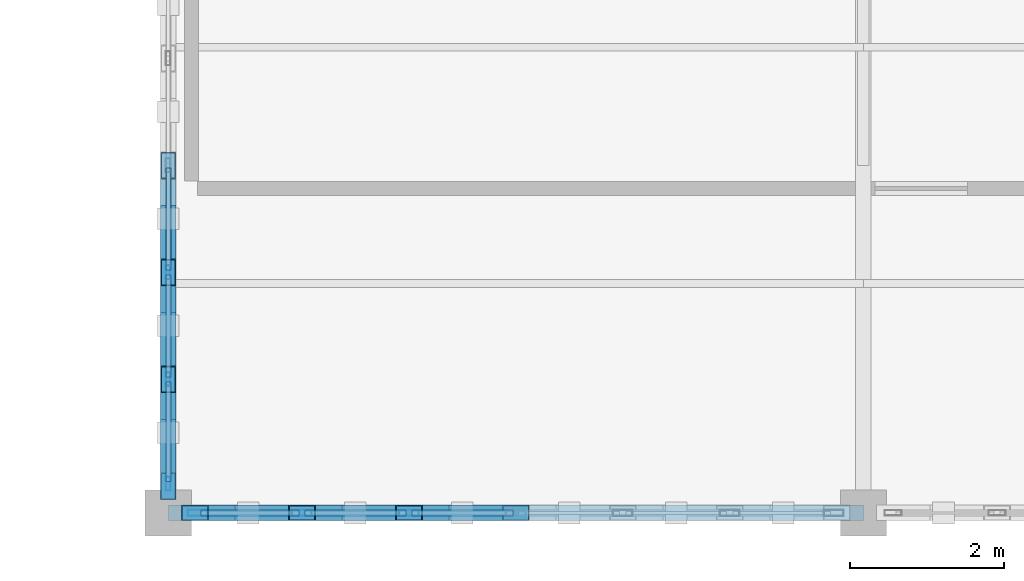
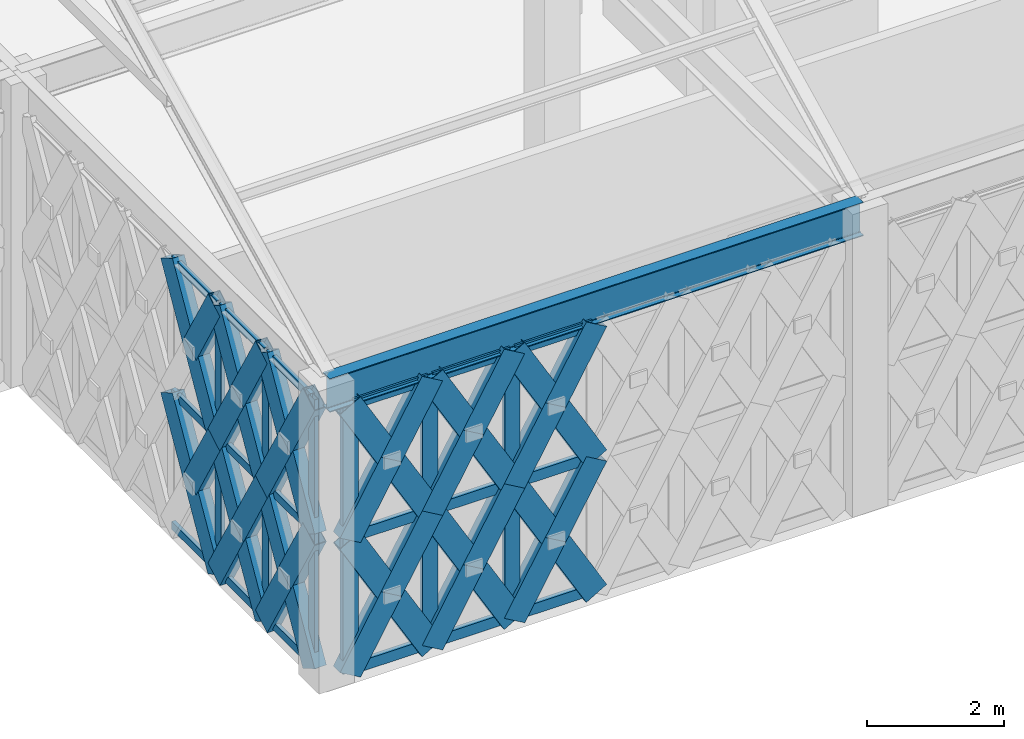
# One storey, part 2 of 32: 58 members, 1 beam, 2 elements without a shape of their own.
"""IFC4 building model written with IfcOpenShell, lengths in metres."""

from ifc_helpers import new_model, si_unit, direction, frame, origin, origin_2d, place, context, subcontext, project, spatial, hollow_rectangle, i_section, extrude, material, material_profile, profile_set, type_object, element, aggregate, save


model = new_model("IFC4")

# Units and contexts
model_context = context("Model", 3, precision=1e-05, world=origin(), true_north=direction((0.0, 1.0)))
body_context = subcontext(model_context, "Body", "Model", "MODEL_VIEW")
ifc_project = project(units=[si_unit("LENGTHUNIT", "METRE"), si_unit("AREAUNIT", "SQUARE_METRE"), si_unit("VOLUMEUNIT", "CUBIC_METRE"), si_unit("PLANEANGLEUNIT", "RADIAN"), si_unit("MASSUNIT", "GRAM", prefix="KILO")], contexts=[model_context])

# Site, building, storey
site_placement = place(None, origin())
site = spatial("IfcSite", under=ifc_project, at=site_placement, CompositionType="ELEMENT")
building_placement = place(site_placement, origin())
building = spatial("IfcBuilding", under=site, at=building_placement, Name="Haizhuo Lancet Aquarium", CompositionType="ELEMENT")
storey_placement = place(building_placement, frame((0.0, 0.0, 27.0)))
storey = spatial("IfcBuildingStorey", under=building, at=storey_placement, Name="L05", CompositionType="ELEMENT", Elevation=27.0)

# Beam
ifc_material_1 = material(Name="Steel S355", Category="steel")
ifc_material_profile_1 = material_profile(ifc_material_1, i_section(OverallWidth=0.199951171875, OverallDepth=0.60009765625, WebThickness=0.010986328125, FlangeThickness=0.01708984375, FilletRadius=0.02197265625, at=origin_2d()), Name="HN 600x200x11x17")
ifc_profile_set_1 = profile_set([ifc_material_profile_1], Name="Steel S355")
beam_type = type_object("IfcBeamType", Name="BM-ST-HN600", PredefinedType="BEAM", material=ifc_profile_set_1)
beam_placement = place(storey_placement, frame((-72.0, -27.0, 5.10009765625), z_axis=(1.0, 0.0, 0.0), x_axis=(0.0, 1.0, 0.0)))
element("IfcBeam", 1, at=beam_placement, inside=storey, type_object=beam_type, Name="L05 V6 primary girder BM-L05-V6-005", PredefinedType="BEAM", context=body_context, shape_type="SweptSolid", body=[
    extrude(i_section(OverallWidth=0.199951171875, OverallDepth=0.60009765625, WebThickness=0.010986328125, FlangeThickness=0.01708984375, FilletRadius=0.02197265625, at=origin_2d()), origin(), (0.0, 0.0, 1.0), 9.0),
])

# Curtain wall, members
ifc_material_2 = material(Name="Aluminium 6063-T6", Category="aluminium")
curtain_wall_type = type_object("IfcCurtainWallType", Name="CWD-8310x4800", PredefinedType="NOTDEFINED", material=ifc_material_2)
curtain_wall_1_placement = place(storey_placement, origin())
curtain_wall_1 = element("IfcCurtainWall", 2, at=curtain_wall_1_placement, inside=storey, type_object=curtain_wall_type, Name="L05 curtain wall CW-V6-L05-271", PredefinedType="NOTDEFINED")
ifc_material_profile_2 = material_profile(ifc_material_2, hollow_rectangle(XDim=0.06494140625, YDim=0.179931640625, WallThickness=0.00390625, at=origin_2d()), Name="ALU-M 65x180x4")
ifc_profile_set_2 = profile_set([ifc_material_profile_2], Name="Aluminium 6063-T6")
member_type_1 = type_object("IfcMemberType", Name="CW-MUL-1", PredefinedType="MULLION", material=ifc_profile_set_2)
member_1_placement = place(storey_placement, frame((-72.0, -26.623046875, 0.0), z_axis=(0.0, 0.0, 1.0), x_axis=(-1.0, 0.0, 0.0)))
member_1 = element("IfcMember", 3, at=member_1_placement, type_object=member_type_1, Name="CWD-83x48 mullion 1", PredefinedType="MULLION", context=body_context, shape_type="SweptSolid", body=[
    extrude(hollow_rectangle(XDim=0.06494140625, YDim=0.179931640625, WallThickness=0.00390625, at=origin_2d()), origin(), (0.0, 0.0, 1.0), 4.800048828125),
])
member_2_placement = place(storey_placement, frame((-72.0, -25.27001953125, 0.0), z_axis=(0.0, 0.0, 1.0), x_axis=(-1.0, 0.0, 0.0)))
member_2 = element("IfcMember", 4, at=member_2_placement, type_object=member_type_1, Name="CWD-83x48 mullion 2", PredefinedType="MULLION", context=body_context, shape_type="SweptSolid", body=[
    extrude(hollow_rectangle(XDim=0.06494140625, YDim=0.179931640625, WallThickness=0.00390625, at=origin_2d()), origin(), (0.0, 0.0, 1.0), 4.800048828125),
])
member_3_placement = place(storey_placement, frame((-72.0, -23.885009765625, 0.0), z_axis=(0.0, 0.0, 1.0), x_axis=(-1.0, 0.0, 0.0)))
member_3 = element("IfcMember", 5, at=member_3_placement, type_object=member_type_1, Name="CWD-83x48 mullion 3", PredefinedType="MULLION", context=body_context, shape_type="SweptSolid", body=[
    extrude(hollow_rectangle(XDim=0.06494140625, YDim=0.179931640625, WallThickness=0.00390625, at=origin_2d()), origin(), (0.0, 0.0, 1.0), 4.800048828125),
])

curtain_wall_2_placement = place(storey_placement, origin())
curtain_wall_2 = element("IfcCurtainWall", 6, at=curtain_wall_2_placement, inside=storey, type_object=curtain_wall_type, Name="L05 curtain wall CW-V6-L05-270", PredefinedType="NOTDEFINED")
ifc_material_profile_3 = material_profile(ifc_material_2, hollow_rectangle(XDim=0.080078125, YDim=0.260009765625, WallThickness=0.0048828125, at=origin_2d()), Name="ALU-M 80x260x5")
ifc_profile_set_3 = profile_set([ifc_material_profile_3], Name="Aluminium 6063-T6")
member_type_2 = type_object("IfcMemberType", Name="CW-MUL-3", PredefinedType="MULLION", material=ifc_profile_set_3)
member_4_placement = place(storey_placement, frame((-68.885009765625, -27.0, 0.0), z_axis=(0.0, 0.0, 1.0), x_axis=(0.0, -1.0, 0.0)))
member_4 = element("IfcMember", 7, at=member_4_placement, type_object=member_type_2, Name="CWD-83x48 mullion 5", PredefinedType="MULLION", context=body_context, shape_type="SweptSolid", body=[
    extrude(hollow_rectangle(XDim=0.080078125, YDim=0.260009765625, WallThickness=0.0048828125, at=origin_2d()), origin(), (0.0, 0.0, 1.0), 4.800048828125),
])
member_5_placement = place(storey_placement, frame((-70.27001953125, -27.0, 0.0), z_axis=(0.0, 0.0, 1.0), x_axis=(0.0, -1.0, 0.0)))
member_5 = element("IfcMember", 8, at=member_5_placement, type_object=member_type_2, Name="CWD-83x48 mullion 6", PredefinedType="MULLION", context=body_context, shape_type="SweptSolid", body=[
    extrude(hollow_rectangle(XDim=0.080078125, YDim=0.260009765625, WallThickness=0.0048828125, at=origin_2d()), origin(), (0.0, 0.0, 1.0), 4.800048828125),
])
member_6_placement = place(storey_placement, frame((-71.614990234375, -27.0, 0.0), z_axis=(0.0, 0.0, 1.0), x_axis=(0.0, -1.0, 0.0)))
member_6 = element("IfcMember", 9, at=member_6_placement, type_object=member_type_2, Name="CWD-83x48 mullion 7", PredefinedType="MULLION", context=body_context, shape_type="SweptSolid", body=[
    extrude(hollow_rectangle(XDim=0.080078125, YDim=0.260009765625, WallThickness=0.0048828125, at=origin_2d()), origin(), (0.0, 0.0, 1.0), 4.800048828125),
])

# Member
ifc_material_profile_4 = material_profile(ifc_material_2, hollow_rectangle(XDim=0.06494140625, YDim=0.139892578125, WallThickness=0.00390625, at=origin_2d()), Name="ALU-T 65x140x4")
ifc_profile_set_4 = profile_set([ifc_material_profile_4], Name="Aluminium 6063-T6")
member_type_3 = type_object("IfcMemberType", Name="CW-TRN-1", PredefinedType="NOTDEFINED", material=ifc_profile_set_4)
member_7_placement = place(storey_placement, frame((-72.0, -26.590087890625, 0.031982421875), z_axis=(0.0, 1.0, 0.0), x_axis=(-1.0, 0.0, 0.0)))
member_7 = element("IfcMember", 10, at=member_7_placement, type_object=member_type_3, Name="CWD-83x48 transom 1.1", ObjectType="TRANSOM", PredefinedType="USERDEFINED", context=body_context, shape_type="SweptSolid", body=[
    extrude(hollow_rectangle(XDim=0.06494140625, YDim=0.139892578125, WallThickness=0.00390625, at=origin_2d()), origin(), (0.0, 0.0, 1.0), 1.287109375),
])

member_8_placement = place(storey_placement, frame((-72.0, -26.590087890625, 2.39990234375), z_axis=(0.0, 1.0, 0.0), x_axis=(-1.0, 0.0, 0.0)))
member_8 = element("IfcMember", 11, at=member_8_placement, type_object=member_type_3, Name="CWD-83x48 transom 1.2", ObjectType="TRANSOM", PredefinedType="USERDEFINED", context=body_context, shape_type="SweptSolid", body=[
    extrude(hollow_rectangle(XDim=0.06494140625, YDim=0.139892578125, WallThickness=0.00390625, at=origin_2d()), origin(), (0.0, 0.0, 1.0), 1.287109375),
])

member_9_placement = place(storey_placement, frame((-72.0, -26.590087890625, 4.76806640625), z_axis=(0.0, 1.0, 0.0), x_axis=(-1.0, 0.0, 0.0)))
member_9 = element("IfcMember", 12, at=member_9_placement, type_object=member_type_3, Name="CWD-83x48 transom 1.3", ObjectType="TRANSOM", PredefinedType="USERDEFINED", context=body_context, shape_type="SweptSolid", body=[
    extrude(hollow_rectangle(XDim=0.06494140625, YDim=0.139892578125, WallThickness=0.00390625, at=origin_2d()), origin(), (0.0, 0.0, 1.0), 1.287109375),
])

member_10_placement = place(storey_placement, frame((-72.0, -25.238037109375, 0.031982421875), z_axis=(0.0, 1.0, 0.0), x_axis=(-1.0, 0.0, 0.0)))
member_10 = element("IfcMember", 13, at=member_10_placement, type_object=member_type_3, Name="CWD-83x48 transom 2.1", ObjectType="TRANSOM", PredefinedType="USERDEFINED", context=body_context, shape_type="SweptSolid", body=[
    extrude(hollow_rectangle(XDim=0.06494140625, YDim=0.139892578125, WallThickness=0.00390625, at=origin_2d()), origin(), (0.0, 0.0, 1.0), 1.320068359375),
])

member_11_placement = place(storey_placement, frame((-72.0, -25.238037109375, 2.39990234375), z_axis=(0.0, 1.0, 0.0), x_axis=(-1.0, 0.0, 0.0)))
member_11 = element("IfcMember", 14, at=member_11_placement, type_object=member_type_3, Name="CWD-83x48 transom 2.2", ObjectType="TRANSOM", PredefinedType="USERDEFINED", context=body_context, shape_type="SweptSolid", body=[
    extrude(hollow_rectangle(XDim=0.06494140625, YDim=0.139892578125, WallThickness=0.00390625, at=origin_2d()), origin(), (0.0, 0.0, 1.0), 1.320068359375),
])

member_12_placement = place(storey_placement, frame((-72.0, -25.238037109375, 4.76806640625), z_axis=(0.0, 1.0, 0.0), x_axis=(-1.0, 0.0, 0.0)))
member_12 = element("IfcMember", 15, at=member_12_placement, type_object=member_type_3, Name="CWD-83x48 transom 2.3", ObjectType="TRANSOM", PredefinedType="USERDEFINED", context=body_context, shape_type="SweptSolid", body=[
    extrude(hollow_rectangle(XDim=0.06494140625, YDim=0.139892578125, WallThickness=0.00390625, at=origin_2d()), origin(), (0.0, 0.0, 1.0), 1.320068359375),
])

member_13_placement = place(storey_placement, frame((-72.0, -23.85205078125, 0.031982421875), z_axis=(0.0, 1.0, 0.0), x_axis=(-1.0, 0.0, 0.0)))
member_13 = element("IfcMember", 16, at=member_13_placement, type_object=member_type_3, Name="CWD-83x48 transom 3.1", ObjectType="TRANSOM", PredefinedType="USERDEFINED", context=body_context, shape_type="SweptSolid", body=[
    extrude(hollow_rectangle(XDim=0.06494140625, YDim=0.139892578125, WallThickness=0.00390625, at=origin_2d()), origin(), (0.0, 0.0, 1.0), 1.320068359375),
])

member_14_placement = place(storey_placement, frame((-72.0, -23.85205078125, 2.39990234375), z_axis=(0.0, 1.0, 0.0), x_axis=(-1.0, 0.0, 0.0)))
member_14 = element("IfcMember", 17, at=member_14_placement, type_object=member_type_3, Name="CWD-83x48 transom 3.2", ObjectType="TRANSOM", PredefinedType="USERDEFINED", context=body_context, shape_type="SweptSolid", body=[
    extrude(hollow_rectangle(XDim=0.06494140625, YDim=0.139892578125, WallThickness=0.00390625, at=origin_2d()), origin(), (0.0, 0.0, 1.0), 1.320068359375),
])

member_15_placement = place(storey_placement, frame((-72.0, -23.85205078125, 4.76806640625), z_axis=(0.0, 1.0, 0.0), x_axis=(-1.0, 0.0, 0.0)))
member_15 = element("IfcMember", 18, at=member_15_placement, type_object=member_type_3, Name="CWD-83x48 transom 3.3", ObjectType="TRANSOM", PredefinedType="USERDEFINED", context=body_context, shape_type="SweptSolid", body=[
    extrude(hollow_rectangle(XDim=0.06494140625, YDim=0.139892578125, WallThickness=0.00390625, at=origin_2d()), origin(), (0.0, 0.0, 1.0), 1.320068359375),
])

aggregate(curtain_wall_1, [member_1, member_2, member_3, member_7, member_8, member_9, member_10, member_11, member_12, member_13, member_14, member_15])

ifc_material_profile_5 = material_profile(ifc_material_2, hollow_rectangle(XDim=0.080078125, YDim=0.18994140625, WallThickness=0.0048828125, at=origin_2d()), Name="ALU-T 80x190x5")
ifc_profile_set_5 = profile_set([ifc_material_profile_5], Name="Aluminium 6063-T6")
member_type_4 = type_object("IfcMemberType", Name="CW-TRN-3", PredefinedType="NOTDEFINED", material=ifc_profile_set_5)
member_16_placement = place(storey_placement, frame((-67.5400390625, -27.0, 0.0400390625), z_axis=(-1.0, 0.0, 0.0), x_axis=(0.0, -1.0, 0.0)))
member_16 = element("IfcMember", 19, at=member_16_placement, type_object=member_type_4, Name="CWD-83x48 transom 4.1", ObjectType="TRANSOM", PredefinedType="USERDEFINED", context=body_context, shape_type="SweptSolid", body=[
    extrude(hollow_rectangle(XDim=0.080078125, YDim=0.18994140625, WallThickness=0.0048828125, at=origin_2d()), origin(), (0.0, 0.0, 1.0), 1.304931640625),
])

member_17_placement = place(storey_placement, frame((-67.5400390625, -27.0, 2.39990234375), z_axis=(-1.0, 0.0, 0.0), x_axis=(0.0, -1.0, 0.0)))
member_17 = element("IfcMember", 20, at=member_17_placement, type_object=member_type_4, Name="CWD-83x48 transom 4.2", ObjectType="TRANSOM", PredefinedType="USERDEFINED", context=body_context, shape_type="SweptSolid", body=[
    extrude(hollow_rectangle(XDim=0.080078125, YDim=0.18994140625, WallThickness=0.0048828125, at=origin_2d()), origin(), (0.0, 0.0, 1.0), 1.304931640625),
])

member_18_placement = place(storey_placement, frame((-67.5400390625, -27.0, 4.760009765625), z_axis=(-1.0, 0.0, 0.0), x_axis=(0.0, -1.0, 0.0)))
member_18 = element("IfcMember", 21, at=member_18_placement, type_object=member_type_4, Name="CWD-83x48 transom 4.3", ObjectType="TRANSOM", PredefinedType="USERDEFINED", context=body_context, shape_type="SweptSolid", body=[
    extrude(hollow_rectangle(XDim=0.080078125, YDim=0.18994140625, WallThickness=0.0048828125, at=origin_2d()), origin(), (0.0, 0.0, 1.0), 1.304931640625),
])

member_19_placement = place(storey_placement, frame((-68.925048828125, -27.0, 0.0400390625), z_axis=(-1.0, 0.0, 0.0), x_axis=(0.0, -1.0, 0.0)))
member_19 = element("IfcMember", 22, at=member_19_placement, type_object=member_type_4, Name="CWD-83x48 transom 5.1", ObjectType="TRANSOM", PredefinedType="USERDEFINED", context=body_context, shape_type="SweptSolid", body=[
    extrude(hollow_rectangle(XDim=0.080078125, YDim=0.18994140625, WallThickness=0.0048828125, at=origin_2d()), origin(), (0.0, 0.0, 1.0), 1.304931640625),
])

member_20_placement = place(storey_placement, frame((-68.925048828125, -27.0, 2.39990234375), z_axis=(-1.0, 0.0, 0.0), x_axis=(0.0, -1.0, 0.0)))
member_20 = element("IfcMember", 23, at=member_20_placement, type_object=member_type_4, Name="CWD-83x48 transom 5.2", ObjectType="TRANSOM", PredefinedType="USERDEFINED", context=body_context, shape_type="SweptSolid", body=[
    extrude(hollow_rectangle(XDim=0.080078125, YDim=0.18994140625, WallThickness=0.0048828125, at=origin_2d()), origin(), (0.0, 0.0, 1.0), 1.304931640625),
])

member_21_placement = place(storey_placement, frame((-68.925048828125, -27.0, 4.760009765625), z_axis=(-1.0, 0.0, 0.0), x_axis=(0.0, -1.0, 0.0)))
member_21 = element("IfcMember", 24, at=member_21_placement, type_object=member_type_4, Name="CWD-83x48 transom 5.3", ObjectType="TRANSOM", PredefinedType="USERDEFINED", context=body_context, shape_type="SweptSolid", body=[
    extrude(hollow_rectangle(XDim=0.080078125, YDim=0.18994140625, WallThickness=0.0048828125, at=origin_2d()), origin(), (0.0, 0.0, 1.0), 1.304931640625),
])

member_22_placement = place(storey_placement, frame((-70.31005859375, -27.0, 0.0400390625), z_axis=(-1.0, 0.0, 0.0), x_axis=(0.0, -1.0, 0.0)))
member_22 = element("IfcMember", 25, at=member_22_placement, type_object=member_type_4, Name="CWD-83x48 transom 6.1", ObjectType="TRANSOM", PredefinedType="USERDEFINED", context=body_context, shape_type="SweptSolid", body=[
    extrude(hollow_rectangle(XDim=0.080078125, YDim=0.18994140625, WallThickness=0.0048828125, at=origin_2d()), origin(), (0.0, 0.0, 1.0), 1.264892578125),
])

member_23_placement = place(storey_placement, frame((-70.31005859375, -27.0, 2.39990234375), z_axis=(-1.0, 0.0, 0.0), x_axis=(0.0, -1.0, 0.0)))
member_23 = element("IfcMember", 26, at=member_23_placement, type_object=member_type_4, Name="CWD-83x48 transom 6.2", ObjectType="TRANSOM", PredefinedType="USERDEFINED", context=body_context, shape_type="SweptSolid", body=[
    extrude(hollow_rectangle(XDim=0.080078125, YDim=0.18994140625, WallThickness=0.0048828125, at=origin_2d()), origin(), (0.0, 0.0, 1.0), 1.264892578125),
])

member_24_placement = place(storey_placement, frame((-70.31005859375, -27.0, 4.760009765625), z_axis=(-1.0, 0.0, 0.0), x_axis=(0.0, -1.0, 0.0)))
member_24 = element("IfcMember", 27, at=member_24_placement, type_object=member_type_4, Name="CWD-83x48 transom 6.3", ObjectType="TRANSOM", PredefinedType="USERDEFINED", context=body_context, shape_type="SweptSolid", body=[
    extrude(hollow_rectangle(XDim=0.080078125, YDim=0.18994140625, WallThickness=0.0048828125, at=origin_2d()), origin(), (0.0, 0.0, 1.0), 1.264892578125),
])

aggregate(curtain_wall_2, [member_4, member_5, member_6, member_16, member_17, member_18, member_19, member_20, member_21, member_22, member_23, member_24])

# Members
ifc_material_profile_6 = material_profile(ifc_material_1, hollow_rectangle(XDim=0.199951171875, YDim=0.39990234375, WallThickness=0.011962890625, at=origin_2d()), Name="RHS 200x400x12")
ifc_profile_set_6 = profile_set([ifc_material_profile_6], Name="Steel S355")
member_type_5 = type_object("IfcMemberType", Name="MEM-LB-RHS200x400", PredefinedType="BRACE", material=ifc_profile_set_6)
member_25_placement = place(storey_placement, frame((-67.5, -27.0, 0.0), z_axis=(-0.499844491261, 0.0, 0.866115168182), x_axis=(0.0, -1.0, 0.0)))
element("IfcMember", 28, at=member_25_placement, inside=storey, type_object=member_type_5, Name="Gothic lancet continuous diagonal brace CW-V6-L05-270 7A", PredefinedType="BRACE", context=body_context, shape_type="SweptSolid", body=[
    extrude(hollow_rectangle(XDim=0.199951171875, YDim=0.39990234375, WallThickness=0.011962890625, at=origin_2d()), origin(), (0.0, 0.0, 1.0), 2.77099609375),
])
member_26_placement = place(storey_placement, frame((-68.885009765625, -27.0, 0.0), z_axis=(0.500174860769, 0.0, 0.865924424332), x_axis=(0.0, 1.0, 0.0)))
element("IfcMember", 29, at=member_26_placement, inside=storey, type_object=member_type_5, Name="Gothic lancet split diagonal brace CW-V6-L05-270 7B1", PredefinedType="BRACE", context=body_context, shape_type="SweptSolid", body=[
    extrude(hollow_rectangle(XDim=0.199951171875, YDim=0.39990234375, WallThickness=0.011962890625, at=origin_2d()), origin(), (0.0, 0.0, 1.0), 1.3857421875),
])
member_27_placement = place(storey_placement, frame((-68.19189453125, -27.0, 1.199951171875), z_axis=(0.499513903435, 0.0, 0.86630586993), x_axis=(0.0, 1.0, 0.0)))
element("IfcMember", 30, at=member_27_placement, inside=storey, type_object=member_type_5, Name="Gothic lancet split diagonal brace CW-V6-L05-270 7B2", PredefinedType="BRACE", context=body_context, shape_type="SweptSolid", body=[
    extrude(hollow_rectangle(XDim=0.199951171875, YDim=0.39990234375, WallThickness=0.011962890625, at=origin_2d()), origin(), (0.0, 0.0, 1.0), 1.38525390625),
])
member_28_placement = place(storey_placement, frame((-67.5, -27.0, 2.39990234375), z_axis=(-0.499806349121, 0.0, 0.866137179307), x_axis=(0.0, -1.0, 0.0)))
element("IfcMember", 31, at=member_28_placement, inside=storey, type_object=member_type_5, Name="Gothic lancet continuous diagonal brace CW-V6-L05-270 8A", PredefinedType="BRACE", context=body_context, shape_type="SweptSolid", body=[
    extrude(hollow_rectangle(XDim=0.199951171875, YDim=0.39990234375, WallThickness=0.011962890625, at=origin_2d()), origin(), (0.0, 0.0, 1.0), 2.77099609375),
])
member_29_placement = place(storey_placement, frame((-68.885009765625, -27.0, 2.39990234375), z_axis=(0.500098564532, 0.0, 0.865968490046), x_axis=(0.0, 1.0, 0.0)))
element("IfcMember", 32, at=member_29_placement, inside=storey, type_object=member_type_5, Name="Gothic lancet split diagonal brace CW-V6-L05-270 8B1", PredefinedType="BRACE", context=body_context, shape_type="SweptSolid", body=[
    extrude(hollow_rectangle(XDim=0.199951171875, YDim=0.39990234375, WallThickness=0.011962890625, at=origin_2d()), origin(), (0.0, 0.0, 1.0), 1.385986328125),
])
member_30_placement = place(storey_placement, frame((-68.19189453125, -27.0, 3.60009765625), z_axis=(0.499513903435, 0.0, 0.86630586993), x_axis=(0.0, 1.0, 0.0)))
element("IfcMember", 33, at=member_30_placement, inside=storey, type_object=member_type_5, Name="Gothic lancet split diagonal brace CW-V6-L05-270 8B2", PredefinedType="BRACE", context=body_context, shape_type="SweptSolid", body=[
    extrude(hollow_rectangle(XDim=0.199951171875, YDim=0.39990234375, WallThickness=0.011962890625, at=origin_2d()), origin(), (0.0, 0.0, 1.0), 1.38525390625),
])
member_31_placement = place(storey_placement, frame((-68.885009765625, -27.0, 0.0), z_axis=(-0.499844491261, 0.0, 0.866115168182), x_axis=(0.0, -1.0, 0.0)))
element("IfcMember", 34, at=member_31_placement, inside=storey, type_object=member_type_5, Name="Gothic lancet continuous diagonal brace CW-V6-L05-270 9A", PredefinedType="BRACE", context=body_context, shape_type="SweptSolid", body=[
    extrude(hollow_rectangle(XDim=0.199951171875, YDim=0.39990234375, WallThickness=0.011962890625, at=origin_2d()), origin(), (0.0, 0.0, 1.0), 2.77099609375),
])
member_32_placement = place(storey_placement, frame((-70.27001953125, -27.0, 0.0), z_axis=(0.499646164767, 0.0, 0.866229594296), x_axis=(0.0, 1.0, 0.0)))
element("IfcMember", 35, at=member_32_placement, inside=storey, type_object=member_type_5, Name="Gothic lancet split diagonal brace CW-V6-L05-270 9B1", PredefinedType="BRACE", context=body_context, shape_type="SweptSolid", body=[
    extrude(hollow_rectangle(XDim=0.199951171875, YDim=0.39990234375, WallThickness=0.011962890625, at=origin_2d()), origin(), (0.0, 0.0, 1.0), 1.38525390625),
])
member_33_placement = place(storey_placement, frame((-69.577880859375, -27.0, 1.199951171875), z_axis=(0.500042739161, 0.0, 0.866000726912), x_axis=(0.0, 1.0, 0.0)))
element("IfcMember", 36, at=member_33_placement, inside=storey, type_object=member_type_5, Name="Gothic lancet split diagonal brace CW-V6-L05-270 9B2", PredefinedType="BRACE", context=body_context, shape_type="SweptSolid", body=[
    extrude(hollow_rectangle(XDim=0.199951171875, YDim=0.39990234375, WallThickness=0.011962890625, at=origin_2d()), origin(), (0.0, 0.0, 1.0), 1.3857421875),
])
member_34_placement = place(storey_placement, frame((-68.885009765625, -27.0, 2.39990234375), z_axis=(-0.499806349121, 0.0, 0.866137179307), x_axis=(0.0, -1.0, 0.0)))
element("IfcMember", 37, at=member_34_placement, inside=storey, type_object=member_type_5, Name="Gothic lancet continuous diagonal brace CW-V6-L05-270 10A", PredefinedType="BRACE", context=body_context, shape_type="SweptSolid", body=[
    extrude(hollow_rectangle(XDim=0.199951171875, YDim=0.39990234375, WallThickness=0.011962890625, at=origin_2d()), origin(), (0.0, 0.0, 1.0), 2.77099609375),
])
member_35_placement = place(storey_placement, frame((-70.27001953125, -27.0, 2.39990234375), z_axis=(0.49956989546, 0.0, 0.866273582392), x_axis=(0.0, 1.0, 0.0)))
element("IfcMember", 38, at=member_35_placement, inside=storey, type_object=member_type_5, Name="Gothic lancet split diagonal brace CW-V6-L05-270 10B1", PredefinedType="BRACE", context=body_context, shape_type="SweptSolid", body=[
    extrude(hollow_rectangle(XDim=0.199951171875, YDim=0.39990234375, WallThickness=0.011962890625, at=origin_2d()), origin(), (0.0, 0.0, 1.0), 1.385498046875),
])
member_36_placement = place(storey_placement, frame((-69.577880859375, -27.0, 3.60009765625), z_axis=(0.500042739161, 0.0, 0.866000726912), x_axis=(0.0, 1.0, 0.0)))
element("IfcMember", 39, at=member_36_placement, inside=storey, type_object=member_type_5, Name="Gothic lancet split diagonal brace CW-V6-L05-270 10B2", PredefinedType="BRACE", context=body_context, shape_type="SweptSolid", body=[
    extrude(hollow_rectangle(XDim=0.199951171875, YDim=0.39990234375, WallThickness=0.011962890625, at=origin_2d()), origin(), (0.0, 0.0, 1.0), 1.3857421875),
])
member_37_placement = place(storey_placement, frame((-70.27001953125, -27.0, 0.0), z_axis=(-0.499844491261, 0.0, 0.866115168182), x_axis=(0.0, -1.0, 0.0)))
element("IfcMember", 40, at=member_37_placement, inside=storey, type_object=member_type_5, Name="Gothic lancet continuous diagonal brace CW-V6-L05-270 11A", PredefinedType="BRACE", context=body_context, shape_type="SweptSolid", body=[
    extrude(hollow_rectangle(XDim=0.199951171875, YDim=0.39990234375, WallThickness=0.011962890625, at=origin_2d()), origin(), (0.0, 0.0, 1.0), 2.77099609375),
])
member_38_placement = place(storey_placement, frame((-71.655029296875, -27.0, 0.0), z_axis=(0.499646164767, 0.0, 0.866229594296), x_axis=(0.0, 1.0, 0.0)))
element("IfcMember", 41, at=member_38_placement, inside=storey, type_object=member_type_5, Name="Gothic lancet split diagonal brace CW-V6-L05-270 11B1", PredefinedType="BRACE", context=body_context, shape_type="SweptSolid", body=[
    extrude(hollow_rectangle(XDim=0.199951171875, YDim=0.39990234375, WallThickness=0.011962890625, at=origin_2d()), origin(), (0.0, 0.0, 1.0), 1.38525390625),
])
member_39_placement = place(storey_placement, frame((-70.962890625, -27.0, 1.199951171875), z_axis=(0.500042739161, 0.0, 0.866000726912), x_axis=(0.0, 1.0, 0.0)))
element("IfcMember", 42, at=member_39_placement, inside=storey, type_object=member_type_5, Name="Gothic lancet split diagonal brace CW-V6-L05-270 11B2", PredefinedType="BRACE", context=body_context, shape_type="SweptSolid", body=[
    extrude(hollow_rectangle(XDim=0.199951171875, YDim=0.39990234375, WallThickness=0.011962890625, at=origin_2d()), origin(), (0.0, 0.0, 1.0), 1.3857421875),
])
member_40_placement = place(storey_placement, frame((-70.27001953125, -27.0, 2.39990234375), z_axis=(-0.499806349121, 0.0, 0.866137179307), x_axis=(0.0, -1.0, 0.0)))
element("IfcMember", 43, at=member_40_placement, inside=storey, type_object=member_type_5, Name="Gothic lancet continuous diagonal brace CW-V6-L05-270 12A", PredefinedType="BRACE", context=body_context, shape_type="SweptSolid", body=[
    extrude(hollow_rectangle(XDim=0.199951171875, YDim=0.39990234375, WallThickness=0.011962890625, at=origin_2d()), origin(), (0.0, 0.0, 1.0), 2.77099609375),
])
member_41_placement = place(storey_placement, frame((-71.655029296875, -27.0, 2.39990234375), z_axis=(0.49956989546, 0.0, 0.866273582392), x_axis=(0.0, 1.0, 0.0)))
element("IfcMember", 44, at=member_41_placement, inside=storey, type_object=member_type_5, Name="Gothic lancet split diagonal brace CW-V6-L05-270 12B1", PredefinedType="BRACE", context=body_context, shape_type="SweptSolid", body=[
    extrude(hollow_rectangle(XDim=0.199951171875, YDim=0.39990234375, WallThickness=0.011962890625, at=origin_2d()), origin(), (0.0, 0.0, 1.0), 1.385498046875),
])
member_42_placement = place(storey_placement, frame((-70.962890625, -27.0, 3.60009765625), z_axis=(0.500042739161, 0.0, 0.866000726912), x_axis=(0.0, 1.0, 0.0)))
element("IfcMember", 45, at=member_42_placement, inside=storey, type_object=member_type_5, Name="Gothic lancet split diagonal brace CW-V6-L05-270 12B2", PredefinedType="BRACE", context=body_context, shape_type="SweptSolid", body=[
    extrude(hollow_rectangle(XDim=0.199951171875, YDim=0.39990234375, WallThickness=0.011962890625, at=origin_2d()), origin(), (0.0, 0.0, 1.0), 1.3857421875),
])
member_43_placement = place(storey_placement, frame((-72.0, -26.655029296875, 0.0), z_axis=(0.0, 0.499844491261, 0.866115168182), x_axis=(-1.0, 0.0, 0.0)))
element("IfcMember", 46, at=member_43_placement, inside=storey, type_object=member_type_5, Name="Gothic lancet continuous diagonal brace CW-V6-L05-271 1A", PredefinedType="BRACE", context=body_context, shape_type="SweptSolid", body=[
    extrude(hollow_rectangle(XDim=0.199951171875, YDim=0.39990234375, WallThickness=0.011962890625, at=origin_2d()), origin(), (0.0, 0.0, 1.0), 2.77099609375),
])
member_44_placement = place(storey_placement, frame((-72.0, -25.27001953125, 0.0), z_axis=(0.0, -0.499513903435, 0.86630586993), x_axis=(1.0, 0.0, 0.0)))
element("IfcMember", 47, at=member_44_placement, inside=storey, type_object=member_type_5, Name="Gothic lancet split diagonal brace CW-V6-L05-271 1B1", PredefinedType="BRACE", context=body_context, shape_type="SweptSolid", body=[
    extrude(hollow_rectangle(XDim=0.199951171875, YDim=0.39990234375, WallThickness=0.011962890625, at=origin_2d()), origin(), (0.0, 0.0, 1.0), 1.38525390625),
])
member_45_placement = place(storey_placement, frame((-72.0, -25.9619140625, 1.199951171875), z_axis=(0.0, -0.500174860769, 0.865924424332), x_axis=(1.0, 0.0, 0.0)))
element("IfcMember", 48, at=member_45_placement, inside=storey, type_object=member_type_5, Name="Gothic lancet split diagonal brace CW-V6-L05-271 1B2", PredefinedType="BRACE", context=body_context, shape_type="SweptSolid", body=[
    extrude(hollow_rectangle(XDim=0.199951171875, YDim=0.39990234375, WallThickness=0.011962890625, at=origin_2d()), origin(), (0.0, 0.0, 1.0), 1.3857421875),
])
member_46_placement = place(storey_placement, frame((-72.0, -26.655029296875, 2.39990234375), z_axis=(0.0, 0.499806349121, 0.866137179307), x_axis=(-1.0, 0.0, 0.0)))
element("IfcMember", 49, at=member_46_placement, inside=storey, type_object=member_type_5, Name="Gothic lancet continuous diagonal brace CW-V6-L05-271 2A", PredefinedType="BRACE", context=body_context, shape_type="SweptSolid", body=[
    extrude(hollow_rectangle(XDim=0.199951171875, YDim=0.39990234375, WallThickness=0.011962890625, at=origin_2d()), origin(), (0.0, 0.0, 1.0), 2.77099609375),
])
member_47_placement = place(storey_placement, frame((-72.0, -25.27001953125, 2.39990234375), z_axis=(0.0, -0.499437640892, 0.866349838611), x_axis=(1.0, 0.0, 0.0)))
element("IfcMember", 50, at=member_47_placement, inside=storey, type_object=member_type_5, Name="Gothic lancet split diagonal brace CW-V6-L05-271 2B1", PredefinedType="BRACE", context=body_context, shape_type="SweptSolid", body=[
    extrude(hollow_rectangle(XDim=0.199951171875, YDim=0.39990234375, WallThickness=0.011962890625, at=origin_2d()), origin(), (0.0, 0.0, 1.0), 1.38525390625),
])
member_48_placement = place(storey_placement, frame((-72.0, -25.9619140625, 3.60009765625), z_axis=(0.0, -0.500174860769, 0.865924424332), x_axis=(1.0, 0.0, 0.0)))
element("IfcMember", 51, at=member_48_placement, inside=storey, type_object=member_type_5, Name="Gothic lancet split diagonal brace CW-V6-L05-271 2B2", PredefinedType="BRACE", context=body_context, shape_type="SweptSolid", body=[
    extrude(hollow_rectangle(XDim=0.199951171875, YDim=0.39990234375, WallThickness=0.011962890625, at=origin_2d()), origin(), (0.0, 0.0, 1.0), 1.3857421875),
])
member_49_placement = place(storey_placement, frame((-72.0, -25.27001953125, 0.0), z_axis=(0.0, 0.499844491261, 0.866115168182), x_axis=(-1.0, 0.0, 0.0)))
element("IfcMember", 52, at=member_49_placement, inside=storey, type_object=member_type_5, Name="Gothic lancet continuous diagonal brace CW-V6-L05-271 3A", PredefinedType="BRACE", context=body_context, shape_type="SweptSolid", body=[
    extrude(hollow_rectangle(XDim=0.199951171875, YDim=0.39990234375, WallThickness=0.011962890625, at=origin_2d()), origin(), (0.0, 0.0, 1.0), 2.77099609375),
])
member_50_placement = place(storey_placement, frame((-72.0, -23.885009765625, 0.0), z_axis=(0.0, -0.500042739161, 0.866000726912), x_axis=(1.0, 0.0, 0.0)))
element("IfcMember", 53, at=member_50_placement, inside=storey, type_object=member_type_5, Name="Gothic lancet split diagonal brace CW-V6-L05-271 3B1", PredefinedType="BRACE", context=body_context, shape_type="SweptSolid", body=[
    extrude(hollow_rectangle(XDim=0.199951171875, YDim=0.39990234375, WallThickness=0.011962890625, at=origin_2d()), origin(), (0.0, 0.0, 1.0), 1.3857421875),
])
member_51_placement = place(storey_placement, frame((-72.0, -24.577880859375, 1.199951171875), z_axis=(0.0, -0.499646164767, 0.866229594296), x_axis=(1.0, 0.0, 0.0)))
element("IfcMember", 54, at=member_51_placement, inside=storey, type_object=member_type_5, Name="Gothic lancet split diagonal brace CW-V6-L05-271 3B2", PredefinedType="BRACE", context=body_context, shape_type="SweptSolid", body=[
    extrude(hollow_rectangle(XDim=0.199951171875, YDim=0.39990234375, WallThickness=0.011962890625, at=origin_2d()), origin(), (0.0, 0.0, 1.0), 1.38525390625),
])
member_52_placement = place(storey_placement, frame((-72.0, -25.27001953125, 2.39990234375), z_axis=(0.0, 0.499806349121, 0.866137179307), x_axis=(-1.0, 0.0, 0.0)))
element("IfcMember", 55, at=member_52_placement, inside=storey, type_object=member_type_5, Name="Gothic lancet continuous diagonal brace CW-V6-L05-271 4A", PredefinedType="BRACE", context=body_context, shape_type="SweptSolid", body=[
    extrude(hollow_rectangle(XDim=0.199951171875, YDim=0.39990234375, WallThickness=0.011962890625, at=origin_2d()), origin(), (0.0, 0.0, 1.0), 2.77099609375),
])
member_53_placement = place(storey_placement, frame((-72.0, -23.885009765625, 2.39990234375), z_axis=(0.0, -0.499966449638, 0.866044773228), x_axis=(1.0, 0.0, 0.0)))
element("IfcMember", 56, at=member_53_placement, inside=storey, type_object=member_type_5, Name="Gothic lancet split diagonal brace CW-V6-L05-271 4B1", PredefinedType="BRACE", context=body_context, shape_type="SweptSolid", body=[
    extrude(hollow_rectangle(XDim=0.199951171875, YDim=0.39990234375, WallThickness=0.011962890625, at=origin_2d()), origin(), (0.0, 0.0, 1.0), 1.3857421875),
])
member_54_placement = place(storey_placement, frame((-72.0, -24.577880859375, 3.60009765625), z_axis=(0.0, -0.499646164767, 0.866229594296), x_axis=(1.0, 0.0, 0.0)))
element("IfcMember", 57, at=member_54_placement, inside=storey, type_object=member_type_5, Name="Gothic lancet split diagonal brace CW-V6-L05-271 4B2", PredefinedType="BRACE", context=body_context, shape_type="SweptSolid", body=[
    extrude(hollow_rectangle(XDim=0.199951171875, YDim=0.39990234375, WallThickness=0.011962890625, at=origin_2d()), origin(), (0.0, 0.0, 1.0), 1.38525390625),
])
member_55_placement = place(storey_placement, frame((-72.0, -23.885009765625, 0.0), z_axis=(0.0, 0.499844491261, 0.866115168182), x_axis=(-1.0, 0.0, 0.0)))
element("IfcMember", 58, at=member_55_placement, inside=storey, type_object=member_type_5, Name="Gothic lancet continuous diagonal brace CW-V6-L05-271 5A", PredefinedType="BRACE", context=body_context, shape_type="SweptSolid", body=[
    extrude(hollow_rectangle(XDim=0.199951171875, YDim=0.39990234375, WallThickness=0.011962890625, at=origin_2d()), origin(), (0.0, 0.0, 1.0), 2.77099609375),
])
member_56_placement = place(storey_placement, frame((-72.0, -23.193115234375, 1.199951171875), z_axis=(0.0, -0.499513903435, 0.86630586993), x_axis=(1.0, 0.0, 0.0)))
element("IfcMember", 59, at=member_56_placement, inside=storey, type_object=member_type_5, Name="Gothic lancet split diagonal brace CW-V6-L05-271 5B2", PredefinedType="BRACE", context=body_context, shape_type="SweptSolid", body=[
    extrude(hollow_rectangle(XDim=0.199951171875, YDim=0.39990234375, WallThickness=0.011962890625, at=origin_2d()), origin(), (0.0, 0.0, 1.0), 1.38525390625),
])
member_57_placement = place(storey_placement, frame((-72.0, -23.885009765625, 2.39990234375), z_axis=(0.0, 0.499806349121, 0.866137179307), x_axis=(-1.0, 0.0, 0.0)))
element("IfcMember", 60, at=member_57_placement, inside=storey, type_object=member_type_5, Name="Gothic lancet continuous diagonal brace CW-V6-L05-271 6A", PredefinedType="BRACE", context=body_context, shape_type="SweptSolid", body=[
    extrude(hollow_rectangle(XDim=0.199951171875, YDim=0.39990234375, WallThickness=0.011962890625, at=origin_2d()), origin(), (0.0, 0.0, 1.0), 2.77099609375),
])
member_58_placement = place(storey_placement, frame((-72.0, -23.193115234375, 3.60009765625), z_axis=(0.0, -0.499513903435, 0.86630586993), x_axis=(1.0, 0.0, 0.0)))
element("IfcMember", 61, at=member_58_placement, inside=storey, type_object=member_type_5, Name="Gothic lancet split diagonal brace CW-V6-L05-271 6B2", PredefinedType="BRACE", context=body_context, shape_type="SweptSolid", body=[
    extrude(hollow_rectangle(XDim=0.199951171875, YDim=0.39990234375, WallThickness=0.011962890625, at=origin_2d()), origin(), (0.0, 0.0, 1.0), 1.38525390625),
])

save(model, "model.ifc")
